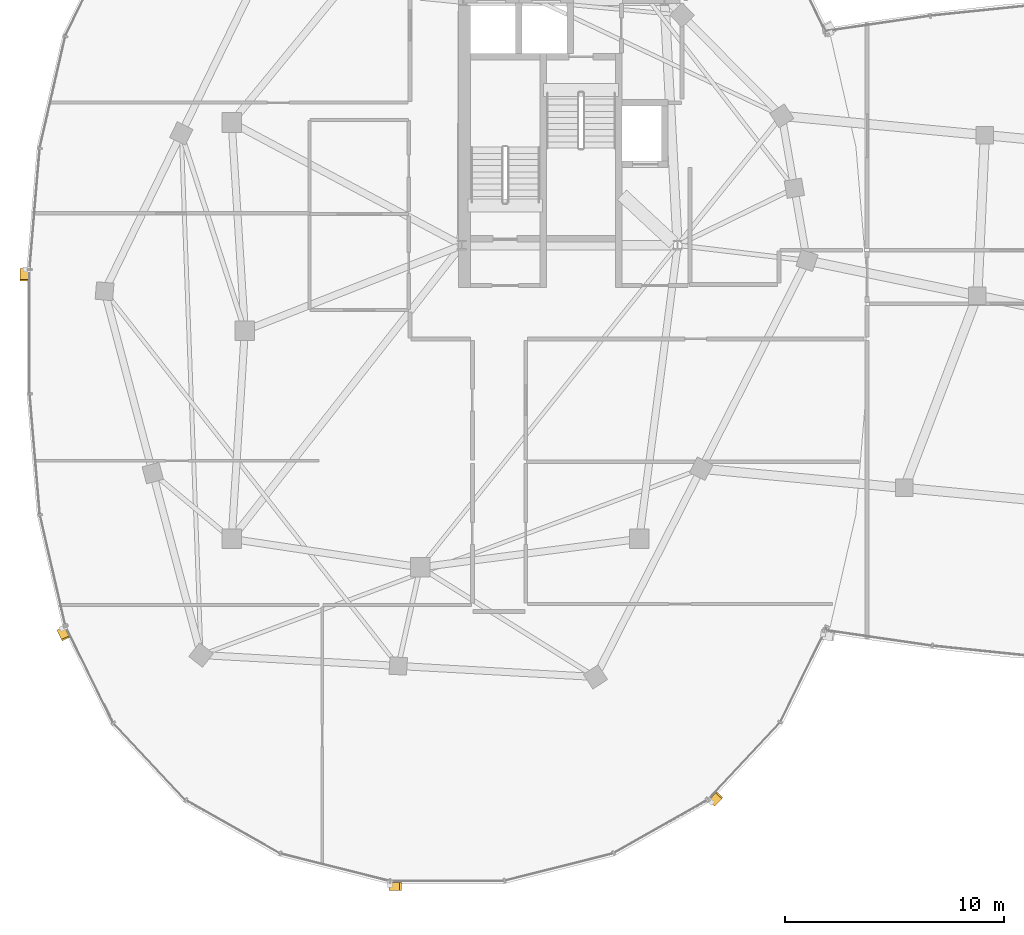
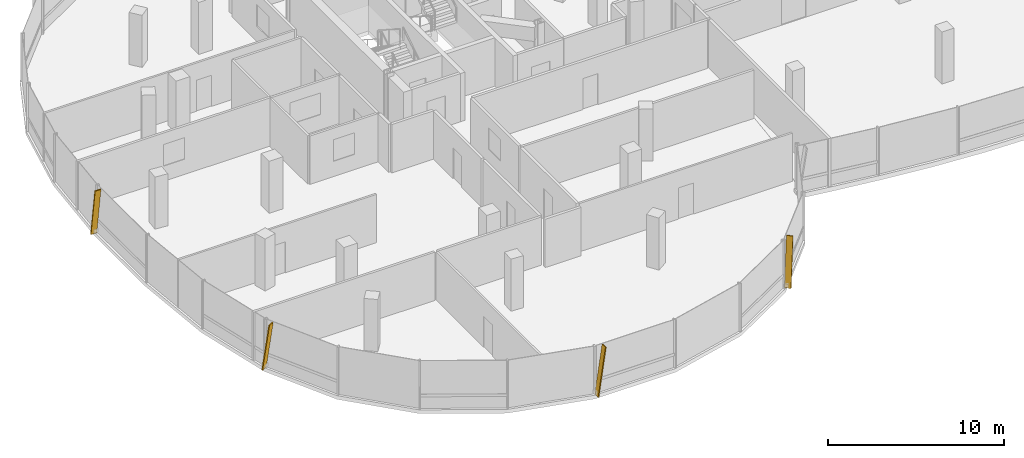
# One storey, part 21 of 26: 4 shading devices.
"""IFC4 building model written with IfcOpenShell, lengths in metres."""

from ifc_helpers import new_model, si_unit, direction, frame, origin, origin_2d, place, context, subcontext, project, spatial, rectangle, extrude, material, material_profile, profile_set, type_object, element, save


model = new_model("IFC4")

# Units and contexts
model_context = context("Model", 3, precision=1e-05, world=origin(), true_north=direction((0.0, 1.0)))
body_context = subcontext(model_context, "Body", "Model", "MODEL_VIEW")
ifc_project = project(units=[si_unit("LENGTHUNIT", "METRE"), si_unit("AREAUNIT", "SQUARE_METRE"), si_unit("VOLUMEUNIT", "CUBIC_METRE"), si_unit("PLANEANGLEUNIT", "RADIAN"), si_unit("MASSUNIT", "GRAM", prefix="KILO"), si_unit("THERMODYNAMICTEMPERATUREUNIT", "KELVIN"), si_unit("POWERUNIT", "WATT")], contexts=[model_context])

# Site, building, storey
site_placement = place(None, origin())
site = spatial("IfcSite", under=ifc_project, at=site_placement, CompositionType="ELEMENT")
building_placement = place(site_placement, origin())
building = spatial("IfcBuilding", under=site, at=building_placement, Name="Cundina Bronze Exchange", CompositionType="ELEMENT")
storey_placement = place(building_placement, frame((0.0, 0.0, 243.199951171875)))
storey = spatial("IfcBuildingStorey", under=building, at=storey_placement, Name="L64", CompositionType="ELEMENT", Elevation=243.199951171875)

# Shading devices
ifc_material = material(Name="Anodised Bronze Aluminium 6063-T6", Category="aluminium")
ifc_material_profile = material_profile(ifc_material, rectangle(XDim=0.070068359375, YDim=0.3798828125, at=origin_2d()), Name="FIN70X380", Category="aluminium")
ifc_profile_set = profile_set([ifc_material_profile], Name="Anodised Bronze Aluminium 6063-T6")
shading_device_type = type_object("IfcShadingDeviceType", Name="SHD-FIN-BRZ380", PredefinedType="USERDEFINED", material=ifc_profile_set)
for number, where, z_axis, x_axis, name in (
    (1, (-51.26904296875, 2.79150390625, 0.02001953125), (0.0, -0.143932024572, 0.989587576874), (0.0, 0.989587576874, 0.143932024572), "L64 Diagonal Bronze Solar Fin 5"),
    (2, (-49.593505859375, -13.614013671875, 0.02001953125), (0.063400368732, -0.129216686851, 0.989587510574), (-0.435900311632, 0.888411143223, 0.143932480407), "L64 Diagonal Bronze Solar Fin 1"),
    (3, (-34.576416015625, -25.360107421875, 0.02001953125), (0.143932024572, 0.0, 0.989587576874), (-0.989587576874, 0.0, 0.143932024572), "L64 Diagonal Bronze Solar Fin 5"),
    (4, (-19.877685546875, -21.55078125, 0.02001953125), (0.098541444371, 0.10491076507, 0.989587446926), (-0.677505727677, -0.721296959704, 0.143932918008), "L64 Diagonal Bronze Solar Fin 1"),
):
    element("IfcShadingDevice", number, at=place(storey_placement, frame(where, z_axis=z_axis, x_axis=x_axis)), inside=storey, type_object=shading_device_type, Name=name, ObjectType="FIN", PredefinedType="USERDEFINED", context=body_context, shape_type="SweptSolid", body=[
        extrude(rectangle(XDim=0.070068359375, YDim=0.3798828125, at=origin_2d()), origin(), (0.0, 0.0, 1.0), 3.334716796875),
    ])

save(model, "model.ifc")
